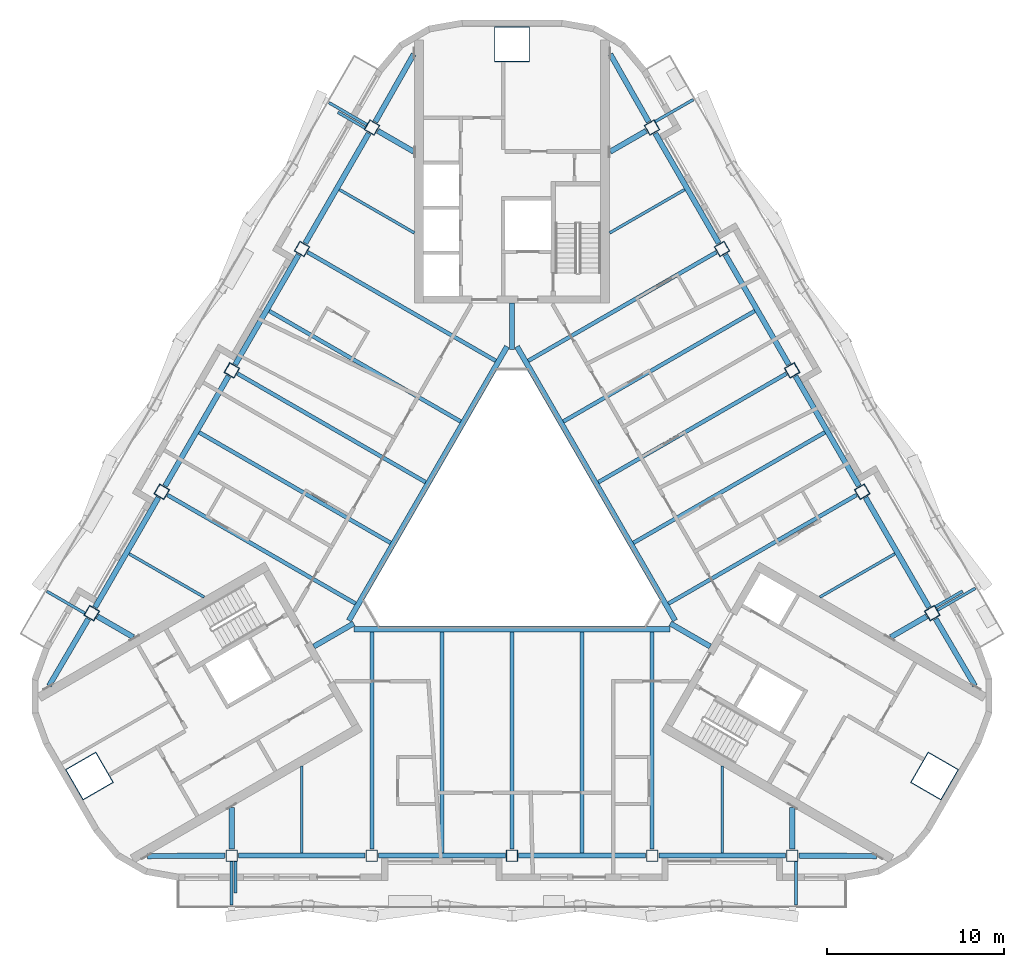
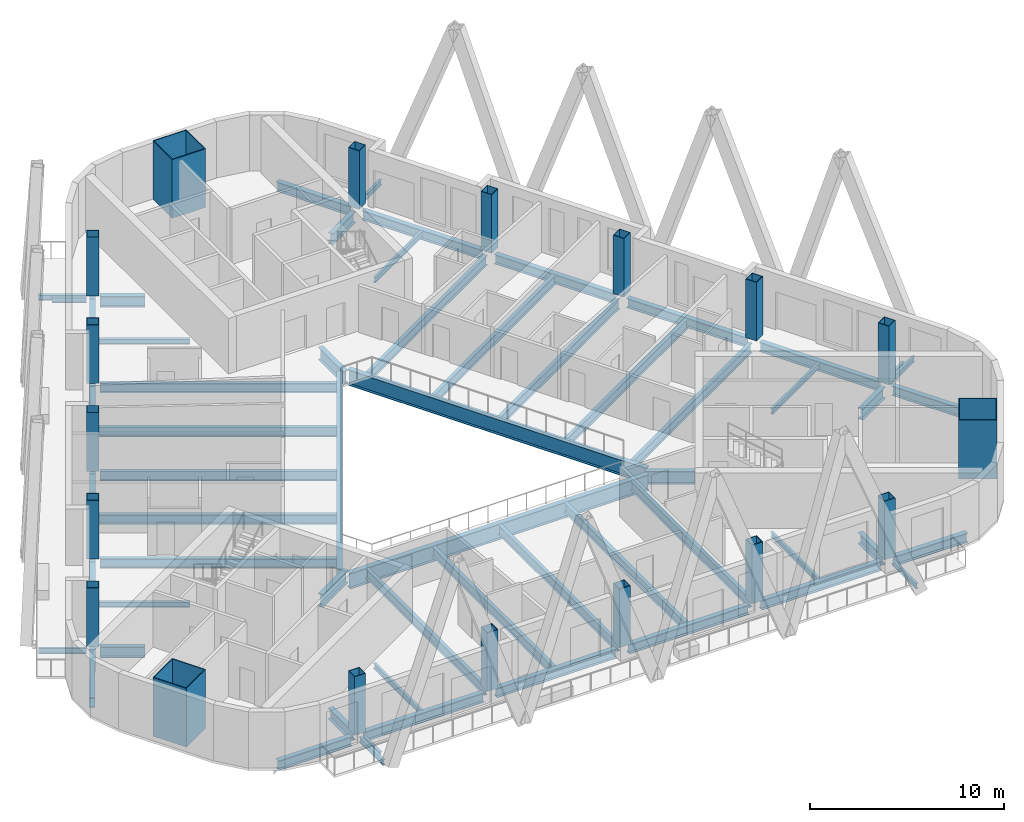
# One storey, part 1 of 18: 36 beams, 24 members, 18 columns.
"""IFC4 building model written with IfcOpenShell, lengths in metres."""

from ifc_helpers import new_model, si_unit, direction, frame, origin, origin_2d, place, context, subcontext, project, spatial, rectangle, hollow_rectangle, i_section, extrude, material, material_profile, profile_set, type_object, element, save


model = new_model("IFC4")

# Units and contexts
model_context = context("Model", 3, precision=1e-05, world=origin(), true_north=direction((0.0, 1.0)))
body_context = subcontext(model_context, "Body", "Model", "MODEL_VIEW")
ifc_project = project(units=[si_unit("LENGTHUNIT", "METRE"), si_unit("AREAUNIT", "SQUARE_METRE"), si_unit("VOLUMEUNIT", "CUBIC_METRE"), si_unit("PLANEANGLEUNIT", "RADIAN"), si_unit("MASSUNIT", "GRAM", prefix="KILO")], contexts=[model_context])

# Site, building, storey
site_placement = place(None, origin())
site = spatial("IfcSite", under=ifc_project, at=site_placement, CompositionType="ELEMENT")
building_placement = place(site_placement, origin())
building = spatial("IfcBuilding", under=site, at=building_placement, Name="Apuvela Tower Hotel", CompositionType="ELEMENT")
storey_placement = place(building_placement, frame((0.0, 0.0, 246.699951171875)))
storey = spatial("IfcBuildingStorey", under=building, at=storey_placement, Name="L60", CompositionType="ELEMENT", Elevation=246.699951171875)

# Columns
ifc_material_1 = material(Name="Steel S460", Category="steel")
ifc_material_profile_1 = material_profile(ifc_material_1, hollow_rectangle(XDim=2.0, YDim=2.0, WallThickness=0.050048828125, at=origin_2d()), Name="BOX 2000x2000x50")
ifc_material_2 = material(Name="Concrete C80/95", Category="concrete")
ifc_material_profile_2 = material_profile(ifc_material_2, rectangle(XDim=1.89990234375, YDim=1.89990234375, at=origin_2d()), Name="Concrete C80/95 infill")
ifc_profile_set_1 = profile_set([ifc_material_profile_1, ifc_material_profile_2], Name="Steel S460")
column_type_1 = type_object("IfcColumnType", Name="STR-MC mega column BOX 2000x2000x50", PredefinedType="COLUMN", material=ifc_profile_set_1)
for number, where, z_axis, x_axis, name in (
    (1, (0.0, 27.5, 0.0), (0.0, 0.0, 1.0), (1.0, 0.0, 0.0), "Mega column MC4 N"),
    (2, (-23.815673828125, -13.75, 0.0), (0.0, 0.0, 1.0), (-0.5, 0.866025403784, 0.0), "Mega column MC4 SW"),
    (3, (23.815673828125, -13.75, 0.0), (0.0, 0.0, 1.0), (0.5, 0.866025403784, 0.0), "Mega column MC4 SE"),
):
    element("IfcColumn", number, at=place(storey_placement, frame(where, z_axis=z_axis, x_axis=x_axis)), inside=storey, type_object=column_type_1, Name=name, PredefinedType="COLUMN", context=body_context, shape_type="SweptSolid", body=[
        extrude(hollow_rectangle(XDim=2.0, YDim=2.0, WallThickness=0.050048828125, at=origin_2d()), origin(), (0.0, 0.0, 1.0), 3.699951171875),
    ])
ifc_material_profile_3 = material_profile(ifc_material_1, hollow_rectangle(XDim=0.64990234375, YDim=0.64990234375, WallThickness=0.030029296875, at=origin_2d()), Name="BOX 650x650x30")
ifc_material_profile_4 = material_profile(ifc_material_2, rectangle(XDim=0.590087890625, YDim=0.590087890625, at=origin_2d()), Name="Concrete C80/95 infill")
ifc_profile_set_2 = profile_set([ifc_material_profile_3, ifc_material_profile_4], Name="Steel S460")
column_type_2 = type_object("IfcColumnType", Name="STR-PC perimeter column BOX 650x650x30", PredefinedType="COLUMN", material=ifc_profile_set_2)
for number, where, z_axis, x_axis, name in (
    (4, (-15.800048828125, -18.22998046875, 0.0), (0.0, 0.0, 1.0), (-1.0, 0.0, 0.0), "Perimeter column C6 S1"),
    (5, (-7.89990234375, -18.22998046875, 0.0), (0.0, 0.0, 1.0), (-1.0, 0.0, 0.0), "Perimeter column C6 S2"),
    (6, (0.0, -18.22998046875, 0.0), (0.0, 0.0, 1.0), (-1.0, 0.0, 0.0), "Perimeter column C6 S3"),
    (7, (7.89990234375, -18.22998046875, 0.0), (0.0, 0.0, 1.0), (-1.0, 0.0, 0.0), "Perimeter column C6 S4"),
    (8, (15.800048828125, -18.22998046875, 0.0), (0.0, 0.0, 1.0), (-1.0, 0.0, 0.0), "Perimeter column C6 S5"),
    (9, (23.6875, -4.568115234375, 0.0), (0.0, 0.0, 1.0), (-0.5, 0.866025403784, 0.0), "Perimeter column C6 NE1"),
    (10, (19.737548828125, 2.2734375, 0.0), (0.0, 0.0, 1.0), (-0.5, 0.866025403784, 0.0), "Perimeter column C6 NE2"),
    (11, (15.78759765625, 9.114990234375, 0.0), (0.0, 0.0, 1.0), (-0.5, 0.866025403784, 0.0), "Perimeter column C6 NE3"),
    (12, (11.837646484375, 15.95654296875, 0.0), (0.0, 0.0, 1.0), (-0.5, 0.866025403784, 0.0), "Perimeter column C6 NE4"),
    (13, (7.8876953125, 22.798095703125, 0.0), (0.0, 0.0, 1.0), (-0.5, 0.866025403784, 0.0), "Perimeter column C6 NE5"),
    (14, (-7.8876953125, 22.798095703125, 0.0), (0.0, 0.0, 1.0), (0.5, 0.866025403784, 0.0), "Perimeter column C6 NW1"),
    (15, (-11.837646484375, 15.95654296875, 0.0), (0.0, 0.0, 1.0), (0.5, 0.866025403784, 0.0), "Perimeter column C6 NW2"),
    (16, (-15.78759765625, 9.114990234375, 0.0), (0.0, 0.0, 1.0), (0.5, 0.866025403784, 0.0), "Perimeter column C6 NW3"),
    (17, (-19.737548828125, 2.2734375, 0.0), (0.0, 0.0, 1.0), (0.5, 0.866025403784, 0.0), "Perimeter column C6 NW4"),
    (18, (-23.6875, -4.568115234375, 0.0), (0.0, 0.0, 1.0), (0.5, 0.866025403784, 0.0), "Perimeter column C6 NW5"),
):
    element("IfcColumn", number, at=place(storey_placement, frame(where, z_axis=z_axis, x_axis=x_axis)), inside=storey, type_object=column_type_2, Name=name, PredefinedType="COLUMN", context=body_context, shape_type="SweptSolid", body=[
        extrude(hollow_rectangle(XDim=0.64990234375, YDim=0.64990234375, WallThickness=0.030029296875, at=origin_2d()), origin(), (0.0, 0.0, 1.0), 3.699951171875),
    ])

# Beams
ifc_material_3 = material(Name="Steel S355", Category="steel")
ifc_material_profile_5 = material_profile(ifc_material_3, i_section(OverallWidth=0.159912109375, OverallDepth=0.330078125, WebThickness=0.007568359375, FlangeThickness=0.011474609375, at=origin_2d()), Name="IPE 330")
ifc_profile_set_3 = profile_set([ifc_material_profile_5], Name="Steel S355")
beam_type_1 = type_object("IfcBeamType", Name="ENV-BALCONY-BEAM-IPE330", PredefinedType="BEAM", material=ifc_profile_set_3)
beam_1_placement = place(storey_placement, frame((-15.800048828125, -18.554931640625, -0.31494140625), z_axis=(0.0, -1.0, 0.0), x_axis=(1.0, 0.0, 0.0)))
element("IfcBeam", 19, at=beam_1_placement, inside=storey, type_object=beam_type_1, Name="Balcony cantilever beam S1 L60", PredefinedType="BEAM", context=body_context, shape_type="SweptSolid", body=[
    extrude(i_section(OverallWidth=0.159912109375, OverallDepth=0.330078125, WebThickness=0.007568359375, FlangeThickness=0.011474609375, at=origin_2d()), origin(), (0.0, 0.0, 1.0), 2.47509765625),
])
beam_2_placement = place(storey_placement, frame((-15.580078125, -18.554931640625, -0.31494140625), z_axis=(0.0, -1.0, 0.0), x_axis=(1.0, 0.0, 0.0)))
element("IfcBeam", 20, at=beam_2_placement, inside=storey, type_object=beam_type_1, Name="Balcony cantilever beam S2 L60", PredefinedType="BEAM", context=body_context, shape_type="SweptSolid", body=[
    extrude(i_section(OverallWidth=0.159912109375, OverallDepth=0.330078125, WebThickness=0.007568359375, FlangeThickness=0.011474609375, at=origin_2d()), origin(), (0.0, 0.0, 1.0), 1.775146484375),
])
for number, where, z_axis, x_axis, name in (
    (21, (16.0, -18.554931640625, -0.31494140625), (0.0, -1.0, 0.0), (1.0, 0.0, 0.0), "Balcony cantilever beam S3 L60"),
    (22, (23.968994140625, -4.40576171875, -0.31494140625), (0.866031185235, 0.4999899861, 0.0), (-0.4999899861, 0.866031185235, 0.0), "Balcony cantilever beam NE1 L60"),
):
    element("IfcBeam", number, at=place(storey_placement, frame(where, z_axis=z_axis, x_axis=x_axis)), inside=storey, type_object=beam_type_1, Name=name, PredefinedType="BEAM", context=body_context, shape_type="SweptSolid", body=[
        extrude(i_section(OverallWidth=0.159912109375, OverallDepth=0.330078125, WebThickness=0.007568359375, FlangeThickness=0.011474609375, at=origin_2d()), origin(), (0.0, 0.0, 1.0), 2.47509765625),
    ])
beam_3_placement = place(storey_placement, frame((23.859130859375, -4.215087890625, -0.31494140625), z_axis=(0.866025242659, 0.500000279077, 0.0), x_axis=(-0.500000279077, 0.866025242659, 0.0)))
element("IfcBeam", 23, at=beam_3_placement, inside=storey, type_object=beam_type_1, Name="Balcony cantilever beam NE2 L60", PredefinedType="BEAM", context=body_context, shape_type="SweptSolid", body=[
    extrude(i_section(OverallWidth=0.159912109375, OverallDepth=0.330078125, WebThickness=0.007568359375, FlangeThickness=0.011474609375, at=origin_2d()), origin(), (0.0, 0.0, 1.0), 1.77490234375),
])
for number, where, z_axis, x_axis, name in (
    (24, (8.069091796875, 23.1337890625, -0.31494140625), (0.866006523861, 0.500032699561, 0.0), (-0.500032699561, 0.866006523861, 0.0), "Balcony cantilever beam NE3 L60"),
    (25, (-8.169189453125, 22.960693359375, -0.31494140625), (-0.866006523861, 0.500032699561, 0.0), (-0.500032699561, -0.866006523861, 0.0), "Balcony cantilever beam NW1 L60"),
):
    element("IfcBeam", number, at=place(storey_placement, frame(where, z_axis=z_axis, x_axis=x_axis)), inside=storey, type_object=beam_type_1, Name=name, PredefinedType="BEAM", context=body_context, shape_type="SweptSolid", body=[
        extrude(i_section(OverallWidth=0.159912109375, OverallDepth=0.330078125, WebThickness=0.007568359375, FlangeThickness=0.011474609375, at=origin_2d()), origin(), (0.0, 0.0, 1.0), 2.474853515625),
    ])
beam_4_placement = place(storey_placement, frame((-8.279052734375, 22.770263671875, -0.31494140625), z_axis=(-0.866059624469, 0.499940723351, 0.0), x_axis=(-0.499940723351, -0.866059624469, 0.0)))
element("IfcBeam", 26, at=beam_4_placement, inside=storey, type_object=beam_type_1, Name="Balcony cantilever beam NW2 L60", PredefinedType="BEAM", context=body_context, shape_type="SweptSolid", body=[
    extrude(i_section(OverallWidth=0.159912109375, OverallDepth=0.330078125, WebThickness=0.007568359375, FlangeThickness=0.011474609375, at=origin_2d()), origin(), (0.0, 0.0, 1.0), 1.775146484375),
])
beam_5_placement = place(storey_placement, frame((-24.069091796875, -4.578857421875, -0.31494140625), z_axis=(-0.866006523861, 0.500032699561, 0.0), x_axis=(-0.500032699561, -0.866006523861, 0.0)))
element("IfcBeam", 27, at=beam_5_placement, inside=storey, type_object=beam_type_1, Name="Balcony cantilever beam NW3 L60", PredefinedType="BEAM", context=body_context, shape_type="SweptSolid", body=[
    extrude(i_section(OverallWidth=0.159912109375, OverallDepth=0.330078125, WebThickness=0.007568359375, FlangeThickness=0.011474609375, at=origin_2d()), origin(), (0.0, 0.0, 1.0), 2.474853515625),
])
ifc_material_profile_6 = material_profile(ifc_material_3, i_section(OverallWidth=0.159912109375, OverallDepth=0.330078125, WebThickness=0.007568359375, FlangeThickness=0.011474609375, at=origin_2d()), Name="IPE 330")
ifc_profile_set_4 = profile_set([ifc_material_profile_6], Name="Steel S355")
beam_type_2 = type_object("IfcBeamType", Name="STR-B floor beam IPE 330", PredefinedType="BEAM", material=ifc_profile_set_4)
for number, where, z_axis, x_axis, name in (
    (28, (21.582763671875, -1.222412109375, -0.31494140625), (-0.866015056278, -0.500017921979, 0.0), (0.500017921979, -0.866015056278, 0.0), "Floor beam B1 NE2"),
    (29, (9.732666015625, 19.302490234375, -0.31494140625), (-0.866015056278, -0.500017921979, 0.0), (0.500017921979, -0.866015056278, 0.0), "Floor beam B1 NE8"),
    (30, (-9.732666015625, 19.302490234375, -0.31494140625), (0.866015056278, -0.500017921979, 0.0), (0.500017921979, 0.866015056278, 0.0), "Floor beam B1 NW2"),
    (31, (-21.582763671875, -1.222412109375, -0.31494140625), (0.866015056278, -0.500017921979, 0.0), (0.500017921979, 0.866015056278, 0.0), "Floor beam B1 NW8"),
):
    element("IfcBeam", number, at=place(storey_placement, frame(where, z_axis=z_axis, x_axis=x_axis)), inside=storey, type_object=beam_type_2, Name=name, PredefinedType="BEAM", context=body_context, shape_type="SweptSolid", body=[
        extrude(i_section(OverallWidth=0.159912109375, OverallDepth=0.330078125, WebThickness=0.007568359375, FlangeThickness=0.011474609375, at=origin_2d()), origin(), (0.0, 0.0, 1.0), 4.887451171875),
    ])
for number, where, z_axis, x_axis, name in (
    (32, (-11.85009765625, -18.080078125, -0.31494140625), (0.0, 1.0, 0.0), (-1.0, 0.0, 0.0), "Floor beam B1 S2"),
    (33, (11.85009765625, -18.080078125, -0.31494140625), (0.0, 1.0, 0.0), (-1.0, 0.0, 0.0), "Floor beam B1 S8"),
):
    element("IfcBeam", number, at=place(storey_placement, frame(where, z_axis=z_axis, x_axis=x_axis)), inside=storey, type_object=beam_type_2, Name=name, PredefinedType="BEAM", context=body_context, shape_type="SweptSolid", body=[
        extrude(i_section(OverallWidth=0.159912109375, OverallDepth=0.330078125, WebThickness=0.007568359375, FlangeThickness=0.011474609375, at=origin_2d()), origin(), (0.0, 0.0, 1.0), 4.8876953125),
    ])
ifc_material_profile_7 = material_profile(ifc_material_3, i_section(OverallWidth=0.219970703125, OverallDepth=0.60009765625, WebThickness=0.011962890625, FlangeThickness=0.01904296875, at=origin_2d()), Name="IPE 600")
ifc_profile_set_5 = profile_set([ifc_material_profile_7], Name="Steel S355")
beam_type_3 = type_object("IfcBeamType", Name="STR-B floor beam IPE 600", PredefinedType="BEAM", material=ifc_profile_set_5)
beam_6_placement = place(storey_placement, frame((19.412841796875, 2.0859375, -0.449951171875), z_axis=(-0.866025418325, -0.499999974815, 0.0), x_axis=(0.499999974815, -0.866025418325, 0.0)))
element("IfcBeam", 34, at=beam_6_placement, inside=storey, type_object=beam_type_3, Name="Floor beam B8 NE3", PredefinedType="BEAM", context=body_context, shape_type="SweptSolid", body=[
    extrude(i_section(OverallWidth=0.219970703125, OverallDepth=0.60009765625, WebThickness=0.011962890625, FlangeThickness=0.01904296875, at=origin_2d()), origin(), (0.0, 0.0, 1.0), 12.23486328125),
])
beam_7_placement = place(storey_placement, frame((17.6328125, 5.619140625, -0.449951171875), z_axis=(-0.866027987673, -0.499995524547, 0.0), x_axis=(0.499995524547, -0.866027987673, 0.0)))
element("IfcBeam", 35, at=beam_7_placement, inside=storey, type_object=beam_type_3, Name="Floor beam B8 NE4", PredefinedType="BEAM", context=body_context, shape_type="SweptSolid", body=[
    extrude(i_section(OverallWidth=0.219970703125, OverallDepth=0.60009765625, WebThickness=0.011962890625, FlangeThickness=0.01904296875, at=origin_2d()), origin(), (0.0, 0.0, 1.0), 12.4599609375),
])
beam_8_placement = place(storey_placement, frame((15.462890625, 8.927490234375, -0.449951171875), z_axis=(-0.866025418325, -0.499999974815, 0.0), x_axis=(0.499999974815, -0.866025418325, 0.0)))
element("IfcBeam", 36, at=beam_8_placement, inside=storey, type_object=beam_type_3, Name="Floor beam B8 NE5", PredefinedType="BEAM", context=body_context, shape_type="SweptSolid", body=[
    extrude(i_section(OverallWidth=0.219970703125, OverallDepth=0.60009765625, WebThickness=0.011962890625, FlangeThickness=0.01904296875, at=origin_2d()), origin(), (0.0, 0.0, 1.0), 12.23486328125),
])
beam_9_placement = place(storey_placement, frame((13.6826171875, 12.460693359375, -0.449951171875), z_axis=(-0.866023089177, -0.500004008996, 0.0), x_axis=(0.500004008996, -0.866023089177, 0.0)))
element("IfcBeam", 37, at=beam_9_placement, inside=storey, type_object=beam_type_3, Name="Floor beam B8 NE6", PredefinedType="BEAM", context=body_context, shape_type="SweptSolid", body=[
    extrude(i_section(OverallWidth=0.219970703125, OverallDepth=0.60009765625, WebThickness=0.011962890625, FlangeThickness=0.01904296875, at=origin_2d()), origin(), (0.0, 0.0, 1.0), 12.4599609375),
])
for number, where, z_axis, x_axis, name in (
    (38, (11.512939453125, 15.76904296875, -0.449951171875), (-0.866030406821, -0.499991334387, 0.0), (0.499991334387, -0.866030406821, 0.0), "Floor beam B8 NE7"),
    (39, (-11.512939453125, 15.76904296875, -0.449951171875), (0.866030406821, -0.499991334387, 0.0), (0.499991334387, 0.866030406821, 0.0), "Floor beam B8 NW3"),
):
    element("IfcBeam", number, at=place(storey_placement, frame(where, z_axis=z_axis, x_axis=x_axis)), inside=storey, type_object=beam_type_3, Name=name, PredefinedType="BEAM", context=body_context, shape_type="SweptSolid", body=[
        extrude(i_section(OverallWidth=0.219970703125, OverallDepth=0.60009765625, WebThickness=0.011962890625, FlangeThickness=0.01904296875, at=origin_2d()), origin(), (0.0, 0.0, 1.0), 12.235107421875),
    ])
beam_10_placement = place(storey_placement, frame((-13.6826171875, 12.460693359375, -0.449951171875), z_axis=(0.866023089177, -0.500004008996, 0.0), x_axis=(0.500004008996, 0.866023089177, 0.0)))
element("IfcBeam", 40, at=beam_10_placement, inside=storey, type_object=beam_type_3, Name="Floor beam B8 NW4", PredefinedType="BEAM", context=body_context, shape_type="SweptSolid", body=[
    extrude(i_section(OverallWidth=0.219970703125, OverallDepth=0.60009765625, WebThickness=0.011962890625, FlangeThickness=0.01904296875, at=origin_2d()), origin(), (0.0, 0.0, 1.0), 12.4599609375),
])
beam_11_placement = place(storey_placement, frame((-15.462890625, 8.927490234375, -0.449951171875), z_axis=(0.866025418325, -0.499999974815, 0.0), x_axis=(0.499999974815, 0.866025418325, 0.0)))
element("IfcBeam", 41, at=beam_11_placement, inside=storey, type_object=beam_type_3, Name="Floor beam B8 NW5", PredefinedType="BEAM", context=body_context, shape_type="SweptSolid", body=[
    extrude(i_section(OverallWidth=0.219970703125, OverallDepth=0.60009765625, WebThickness=0.011962890625, FlangeThickness=0.01904296875, at=origin_2d()), origin(), (0.0, 0.0, 1.0), 12.23486328125),
])
beam_12_placement = place(storey_placement, frame((-17.6328125, 5.619140625, -0.449951171875), z_axis=(0.866027987673, -0.499995524547, 0.0), x_axis=(0.499995524547, 0.866027987673, 0.0)))
element("IfcBeam", 42, at=beam_12_placement, inside=storey, type_object=beam_type_3, Name="Floor beam B8 NW6", PredefinedType="BEAM", context=body_context, shape_type="SweptSolid", body=[
    extrude(i_section(OverallWidth=0.219970703125, OverallDepth=0.60009765625, WebThickness=0.011962890625, FlangeThickness=0.01904296875, at=origin_2d()), origin(), (0.0, 0.0, 1.0), 12.4599609375),
])
for number, where, z_axis, x_axis, name in (
    (43, (-19.412841796875, 2.0859375, -0.449951171875), (0.866025418325, -0.499999974815, 0.0), (0.499999974815, 0.866025418325, 0.0), "Floor beam B8 NW7"),
    (44, (-7.89990234375, -17.85498046875, -0.449951171875), (0.0, 1.0, 0.0), (-1.0, 0.0, 0.0), "Floor beam B8 S3"),
):
    element("IfcBeam", number, at=place(storey_placement, frame(where, z_axis=z_axis, x_axis=x_axis)), inside=storey, type_object=beam_type_3, Name=name, PredefinedType="BEAM", context=body_context, shape_type="SweptSolid", body=[
        extrude(i_section(OverallWidth=0.219970703125, OverallDepth=0.60009765625, WebThickness=0.011962890625, FlangeThickness=0.01904296875, at=origin_2d()), origin(), (0.0, 0.0, 1.0), 12.23486328125),
    ])
beam_13_placement = place(storey_placement, frame((-3.949951171875, -18.080078125, -0.449951171875), z_axis=(0.0, 1.0, 0.0), x_axis=(-1.0, 0.0, 0.0)))
element("IfcBeam", 45, at=beam_13_placement, inside=storey, type_object=beam_type_3, Name="Floor beam B8 S4", PredefinedType="BEAM", context=body_context, shape_type="SweptSolid", body=[
    extrude(i_section(OverallWidth=0.219970703125, OverallDepth=0.60009765625, WebThickness=0.011962890625, FlangeThickness=0.01904296875, at=origin_2d()), origin(), (0.0, 0.0, 1.0), 12.4599609375),
])
beam_14_placement = place(storey_placement, frame((0.0, -17.85498046875, -0.449951171875), z_axis=(0.0, 1.0, 0.0), x_axis=(-1.0, 0.0, 0.0)))
element("IfcBeam", 46, at=beam_14_placement, inside=storey, type_object=beam_type_3, Name="Floor beam B8 S5", PredefinedType="BEAM", context=body_context, shape_type="SweptSolid", body=[
    extrude(i_section(OverallWidth=0.219970703125, OverallDepth=0.60009765625, WebThickness=0.011962890625, FlangeThickness=0.01904296875, at=origin_2d()), origin(), (0.0, 0.0, 1.0), 12.23486328125),
])
beam_15_placement = place(storey_placement, frame((3.949951171875, -18.080078125, -0.449951171875), z_axis=(0.0, 1.0, 0.0), x_axis=(-1.0, 0.0, 0.0)))
element("IfcBeam", 47, at=beam_15_placement, inside=storey, type_object=beam_type_3, Name="Floor beam B8 S6", PredefinedType="BEAM", context=body_context, shape_type="SweptSolid", body=[
    extrude(i_section(OverallWidth=0.219970703125, OverallDepth=0.60009765625, WebThickness=0.011962890625, FlangeThickness=0.01904296875, at=origin_2d()), origin(), (0.0, 0.0, 1.0), 12.4599609375),
])
beam_16_placement = place(storey_placement, frame((7.89990234375, -17.85498046875, -0.449951171875), z_axis=(0.0, 1.0, 0.0), x_axis=(-1.0, 0.0, 0.0)))
element("IfcBeam", 48, at=beam_16_placement, inside=storey, type_object=beam_type_3, Name="Floor beam B8 S7", PredefinedType="BEAM", context=body_context, shape_type="SweptSolid", body=[
    extrude(i_section(OverallWidth=0.219970703125, OverallDepth=0.60009765625, WebThickness=0.011962890625, FlangeThickness=0.01904296875, at=origin_2d()), origin(), (0.0, 0.0, 1.0), 12.23486328125),
])
ifc_material_profile_8 = material_profile(ifc_material_3, i_section(OverallWidth=0.300048828125, OverallDepth=0.989990234375, WebThickness=0.0166015625, FlangeThickness=0.031005859375, at=origin_2d()), Name="HE 1000 A")
ifc_profile_set_6 = profile_set([ifc_material_profile_8], Name="Steel S355")
beam_type_4 = type_object("IfcBeamType", Name="STR-G atrium ring girder HE 1000 A", PredefinedType="BEAM", material=ifc_profile_set_6)
beam_17_placement = place(storey_placement, frame((-0.27978515625, 10.455078125, -0.64501953125), z_axis=(-0.500006541319, -0.866021627119, 0.0), x_axis=(0.866021627119, -0.500006541319, 0.0)))
element("IfcBeam", 49, at=beam_17_placement, inside=storey, type_object=beam_type_4, Name="Atrium ring girder G3 N-SW", PredefinedType="BEAM", context=body_context, shape_type="SweptSolid", body=[
    extrude(i_section(OverallWidth=0.300048828125, OverallDepth=0.989990234375, WebThickness=0.0166015625, FlangeThickness=0.031005859375, at=origin_2d()), origin(), (0.0, 0.0, 1.0), 17.828857421875),
])
beam_18_placement = place(storey_placement, frame((-8.91455078125, -5.469970703125, -0.64501953125), z_axis=(1.0, 0.0, 0.0), x_axis=(0.0, 1.0, 0.0)))
element("IfcBeam", 50, at=beam_18_placement, inside=storey, type_object=beam_type_4, Name="Atrium ring girder G3 SW-SE", PredefinedType="BEAM", context=body_context, shape_type="SweptSolid", body=[
    extrude(i_section(OverallWidth=0.300048828125, OverallDepth=0.989990234375, WebThickness=0.0166015625, FlangeThickness=0.031005859375, at=origin_2d()), origin(), (0.0, 0.0, 1.0), 17.8291015625),
])
beam_19_placement = place(storey_placement, frame((9.1943359375, -4.985107421875, -0.64501953125), z_axis=(-0.500006541319, 0.866021627119, 0.0), x_axis=(-0.866021627119, -0.500006541319, 0.0)))
element("IfcBeam", 51, at=beam_19_placement, inside=storey, type_object=beam_type_4, Name="Atrium ring girder G3 SE-N", PredefinedType="BEAM", context=body_context, shape_type="SweptSolid", body=[
    extrude(i_section(OverallWidth=0.300048828125, OverallDepth=0.989990234375, WebThickness=0.0166015625, FlangeThickness=0.031005859375, at=origin_2d()), origin(), (0.0, 0.0, 1.0), 17.828857421875),
])
ifc_material_profile_9 = material_profile(ifc_material_3, i_section(OverallWidth=0.300048828125, OverallDepth=0.800048828125, WebThickness=0.017578125, FlangeThickness=0.032958984375, at=origin_2d()), Name="HE 800 B")
ifc_profile_set_7 = profile_set([ifc_material_profile_9], Name="Steel S355")
beam_type_5 = type_object("IfcBeamType", Name="STR-GT core tie beam HE 800 B", PredefinedType="BEAM", material=ifc_profile_set_7)
for number, where, z_axis, x_axis, name in (
    (52, (0.0, 12.89990234375, -0.550048828125), (0.0, -1.0, 0.0), (1.0, 0.0, 0.0), "Core tie beam GT1 N"),
    (53, (-11.171630859375, -6.449951171875, -0.550048828125), (0.865997922154, 0.500047596559, 0.0), (-0.500047596559, 0.865997922154, 0.0), "Core tie beam GT1 SW"),
    (54, (11.171630859375, -6.449951171875, -0.550048828125), (-0.865997922154, 0.500047596559, 0.0), (-0.500047596559, -0.865997922154, 0.0), "Core tie beam GT1 SE"),
):
    element("IfcBeam", number, at=place(storey_placement, frame(where, z_axis=z_axis, x_axis=x_axis)), inside=storey, type_object=beam_type_5, Name=name, PredefinedType="BEAM", context=body_context, shape_type="SweptSolid", body=[
        extrude(i_section(OverallWidth=0.300048828125, OverallDepth=0.800048828125, WebThickness=0.017578125, FlangeThickness=0.032958984375, at=origin_2d()), origin(), (0.0, 0.0, 1.0), 2.599853515625),
    ])

# Members
ifc_material_profile_10 = material_profile(ifc_material_3, i_section(OverallWidth=0.300048828125, OverallDepth=0.60009765625, WebThickness=0.015380859375, FlangeThickness=0.030029296875, at=origin_2d()), Name="HE 600 B")
ifc_profile_set_8 = profile_set([ifc_material_profile_10], Name="Steel S355")
member_type_1 = type_object("IfcMemberType", Name="STR-T2 belt truss chord HE 600 B", PredefinedType="CHORD", material=ifc_profile_set_8)
member_1_placement = place(storey_placement, frame((-15.425048828125, -18.22998046875, -0.449951171875), z_axis=(1.0, 0.0, 0.0), x_axis=(0.0, 1.0, 0.0)))
element("IfcMember", 55, at=member_1_placement, inside=storey, type_object=member_type_1, Name="Belt chord BT3 S1", PredefinedType="CHORD", context=body_context, shape_type="SweptSolid", body=[
    extrude(i_section(OverallWidth=0.300048828125, OverallDepth=0.60009765625, WebThickness=0.015380859375, FlangeThickness=0.030029296875, at=origin_2d()), origin(), (0.0, 0.0, 1.0), 7.150146484375),
])
for number, where, z_axis, x_axis, name in (
    (56, (-7.52490234375, -18.22998046875, -0.449951171875), (1.0, 0.0, 0.0), (0.0, 1.0, 0.0), "Belt chord BT3 S2"),
    (57, (0.375, -18.22998046875, -0.449951171875), (1.0, 0.0, 0.0), (0.0, 1.0, 0.0), "Belt chord BT3 S3"),
):
    element("IfcMember", number, at=place(storey_placement, frame(where, z_axis=z_axis, x_axis=x_axis)), inside=storey, type_object=member_type_1, Name=name, PredefinedType="CHORD", context=body_context, shape_type="SweptSolid", body=[
        extrude(i_section(OverallWidth=0.300048828125, OverallDepth=0.60009765625, WebThickness=0.015380859375, FlangeThickness=0.030029296875, at=origin_2d()), origin(), (0.0, 0.0, 1.0), 7.14990234375),
    ])
member_2_placement = place(storey_placement, frame((8.27490234375, -18.22998046875, -0.449951171875), z_axis=(1.0, 0.0, 0.0), x_axis=(0.0, 1.0, 0.0)))
element("IfcMember", 58, at=member_2_placement, inside=storey, type_object=member_type_1, Name="Belt chord BT3 S4", PredefinedType="CHORD", context=body_context, shape_type="SweptSolid", body=[
    extrude(i_section(OverallWidth=0.300048828125, OverallDepth=0.60009765625, WebThickness=0.015380859375, FlangeThickness=0.030029296875, at=origin_2d()), origin(), (0.0, 0.0, 1.0), 7.150146484375),
])
member_3_placement = place(storey_placement, frame((23.5, -4.243408203125, -0.449951171875), z_axis=(-0.500006209673, 0.866021818598, 0.0), x_axis=(-0.866021818598, -0.500006209673, 0.0)))
element("IfcMember", 59, at=member_3_placement, inside=storey, type_object=member_type_1, Name="Belt chord BT3 NE1", PredefinedType="CHORD", context=body_context, shape_type="SweptSolid", body=[
    extrude(i_section(OverallWidth=0.300048828125, OverallDepth=0.60009765625, WebThickness=0.015380859375, FlangeThickness=0.030029296875, at=origin_2d()), origin(), (0.0, 0.0, 1.0), 7.14990234375),
])
for number, where, z_axis, x_axis, name in (
    (60, (19.550048828125, 2.59814453125, -0.449951171875), (-0.499991424076, 0.86603035504, 0.0), (-0.86603035504, -0.499991424076, 0.0), "Belt chord BT3 NE2"),
    (61, (15.60009765625, 9.439697265625, -0.449951171875), (-0.499991424076, 0.86603035504, 0.0), (-0.86603035504, -0.499991424076, 0.0), "Belt chord BT3 NE3"),
):
    element("IfcMember", number, at=place(storey_placement, frame(where, z_axis=z_axis, x_axis=x_axis)), inside=storey, type_object=member_type_1, Name=name, PredefinedType="CHORD", context=body_context, shape_type="SweptSolid", body=[
        extrude(i_section(OverallWidth=0.300048828125, OverallDepth=0.60009765625, WebThickness=0.015380859375, FlangeThickness=0.030029296875, at=origin_2d()), origin(), (0.0, 0.0, 1.0), 7.150146484375),
    ])
for number, where, z_axis, x_axis, name in (
    (62, (11.650146484375, 16.281494140625, -0.449951171875), (-0.500006209673, 0.866021818598, 0.0), (-0.866021818598, -0.500006209673, 0.0), "Belt chord BT3 NE4"),
    (63, (-8.0751953125, 22.473388671875, -0.449951171875), (-0.500006209673, -0.866021818598, 0.0), (0.866021818598, -0.500006209673, 0.0), "Belt chord BT3 NW1"),
):
    element("IfcMember", number, at=place(storey_placement, frame(where, z_axis=z_axis, x_axis=x_axis)), inside=storey, type_object=member_type_1, Name=name, PredefinedType="CHORD", context=body_context, shape_type="SweptSolid", body=[
        extrude(i_section(OverallWidth=0.300048828125, OverallDepth=0.60009765625, WebThickness=0.015380859375, FlangeThickness=0.030029296875, at=origin_2d()), origin(), (0.0, 0.0, 1.0), 7.14990234375),
    ])
for number, where, z_axis, x_axis, name in (
    (64, (-12.025146484375, 15.6318359375, -0.449951171875), (-0.499991424076, -0.86603035504, 0.0), (0.86603035504, -0.499991424076, 0.0), "Belt chord BT3 NW2"),
    (65, (-15.97509765625, 8.790283203125, -0.449951171875), (-0.499991424076, -0.86603035504, 0.0), (0.86603035504, -0.499991424076, 0.0), "Belt chord BT3 NW3"),
):
    element("IfcMember", number, at=place(storey_placement, frame(where, z_axis=z_axis, x_axis=x_axis)), inside=storey, type_object=member_type_1, Name=name, PredefinedType="CHORD", context=body_context, shape_type="SweptSolid", body=[
        extrude(i_section(OverallWidth=0.300048828125, OverallDepth=0.60009765625, WebThickness=0.015380859375, FlangeThickness=0.030029296875, at=origin_2d()), origin(), (0.0, 0.0, 1.0), 7.150146484375),
    ])
member_4_placement = place(storey_placement, frame((-19.925048828125, 1.948486328125, -0.449951171875), z_axis=(-0.500006209673, -0.866021818598, 0.0), x_axis=(0.866021818598, -0.500006209673, 0.0)))
element("IfcMember", 66, at=member_4_placement, inside=storey, type_object=member_type_1, Name="Belt chord BT3 NW4", PredefinedType="CHORD", context=body_context, shape_type="SweptSolid", body=[
    extrude(i_section(OverallWidth=0.300048828125, OverallDepth=0.60009765625, WebThickness=0.015380859375, FlangeThickness=0.030029296875, at=origin_2d()), origin(), (0.0, 0.0, 1.0), 7.14990234375),
])
for number, where, z_axis, x_axis, name in (
    (67, (-16.175048828125, -18.232666015625, -0.449951171875), (-0.999976463079, -0.006860997655, 0.0), (0.006860997655, -0.999976463079, 0.0), "Belt chord BT3 S1-SW"),
    (68, (16.175048828125, -18.232666015625, -0.449951171875), (0.999976463079, -0.006860997655, 0.0), (0.006860997655, 0.999976463079, 0.0), "Belt chord BT3 S5-SE"),
):
    element("IfcMember", number, at=place(storey_placement, frame(where, z_axis=z_axis, x_axis=x_axis)), inside=storey, type_object=member_type_1, Name=name, PredefinedType="CHORD", context=body_context, shape_type="SweptSolid", body=[
        extrude(i_section(OverallWidth=0.300048828125, OverallDepth=0.60009765625, WebThickness=0.015380859375, FlangeThickness=0.030029296875, at=origin_2d()), origin(), (0.0, 0.0, 1.0), 4.376708984375),
    ])
for number, where, z_axis, x_axis, name in (
    (69, (23.87744140625, -4.8916015625, -0.449951171875), (0.505922761076, -0.862578784706, 0.0), (0.862578784706, 0.505922761076, 0.0), "Belt chord BT3 NE1-SE"),
    (70, (7.702392578125, 23.124267578125, -0.449951171875), (-0.494041032492, 0.869438587948, 0.0), (-0.869438587948, -0.494041032492, 0.0), "Belt chord BT3 NE5-N"),
    (71, (-7.702392578125, 23.124267578125, -0.449951171875), (0.494041032492, 0.869438587948, 0.0), (-0.869438587948, 0.494041032492, 0.0), "Belt chord BT3 NW1-N"),
    (72, (-23.87744140625, -4.8916015625, -0.449951171875), (-0.505922761076, -0.862578784706, 0.0), (0.862578784706, -0.505922761076, 0.0), "Belt chord BT3 NW5-SW"),
):
    element("IfcMember", number, at=place(storey_placement, frame(where, z_axis=z_axis, x_axis=x_axis)), inside=storey, type_object=member_type_1, Name=name, PredefinedType="CHORD", context=body_context, shape_type="SweptSolid", body=[
        extrude(i_section(OverallWidth=0.300048828125, OverallDepth=0.60009765625, WebThickness=0.015380859375, FlangeThickness=0.030029296875, at=origin_2d()), origin(), (0.0, 0.0, 1.0), 4.376953125),
    ])
ifc_material_profile_11 = material_profile(ifc_material_3, i_section(OverallWidth=0.300048828125, OverallDepth=0.699951171875, WebThickness=0.01708984375, FlangeThickness=0.031982421875, at=origin_2d()), Name="HE 700 B")
ifc_profile_set_9 = profile_set([ifc_material_profile_11], Name="Steel S355")
member_type_2 = type_object("IfcMemberType", Name="STR-T2 outrigger truss chord HE 700 B", PredefinedType="CHORD", material=ifc_profile_set_9)
for number, where, z_axis, x_axis, name in (
    (73, (23.36279296875, -4.755615234375, -0.5), (-0.865995845958, -0.500051192162, 0.0), (0.500051192162, -0.865995845958, 0.0), "Outrigger chord OC3 NE1"),
    (74, (7.56298828125, 22.610595703125, -0.5), (-0.866067235255, -0.499927538767, 0.0), (0.499927538767, -0.866067235255, 0.0), "Outrigger chord OC3 NE5"),
    (75, (-7.56298828125, 22.610595703125, -0.5), (0.866067235255, -0.499927538767, 0.0), (0.499927538767, 0.866067235255, 0.0), "Outrigger chord OC3 NW1"),
    (76, (-23.36279296875, -4.755615234375, -0.5), (0.865995845958, -0.500051192162, 0.0), (0.500051192162, 0.865995845958, 0.0), "Outrigger chord OC3 NW5"),
    (77, (-15.800048828125, -17.85498046875, -0.5), (0.0, 1.0, 0.0), (-1.0, 0.0, 0.0), "Outrigger chord OC3 S1"),
    (78, (15.800048828125, -17.85498046875, -0.5), (0.0, 1.0, 0.0), (-1.0, 0.0, 0.0), "Outrigger chord OC3 S5"),
):
    element("IfcMember", number, at=place(storey_placement, frame(where, z_axis=z_axis, x_axis=x_axis)), inside=storey, type_object=member_type_2, Name=name, PredefinedType="CHORD", context=body_context, shape_type="SweptSolid", body=[
        extrude(i_section(OverallWidth=0.300048828125, OverallDepth=0.699951171875, WebThickness=0.01708984375, FlangeThickness=0.031982421875, at=origin_2d()), origin(), (0.0, 0.0, 1.0), 2.335693359375),
    ])

save(model, "model.ifc")
